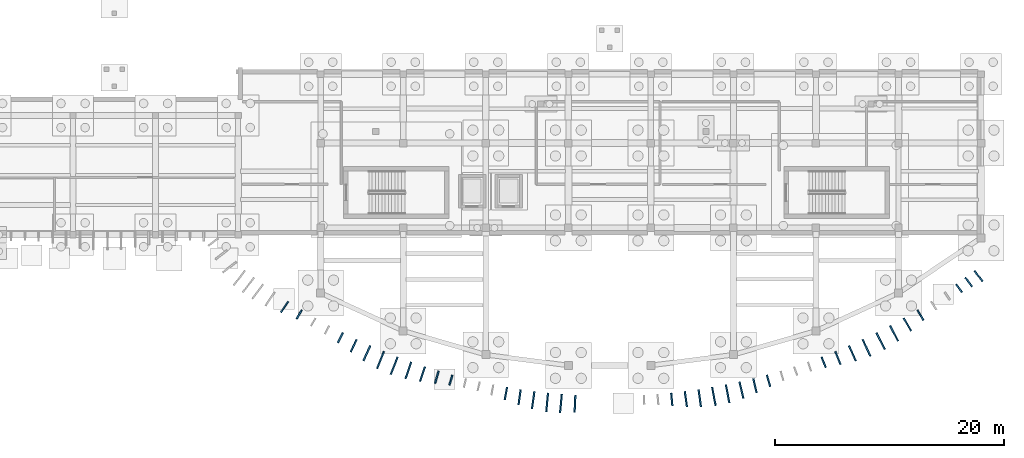
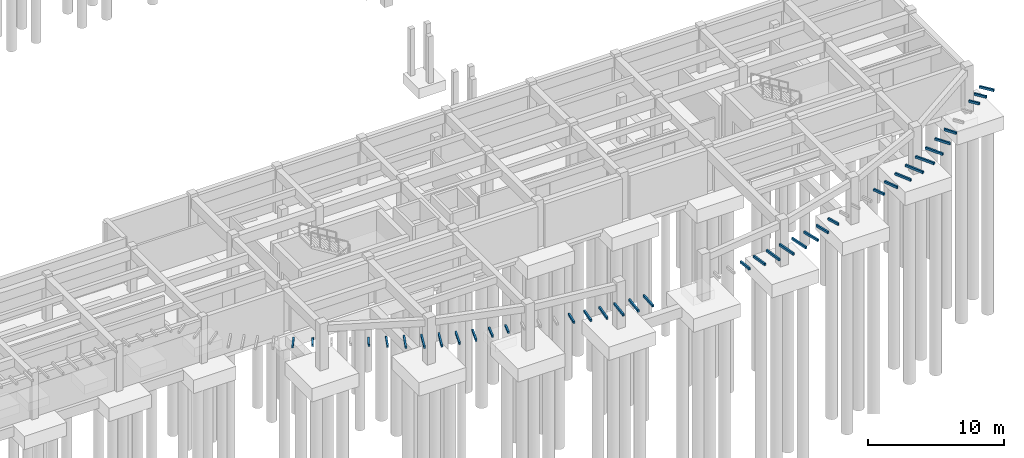
# One storey, part 22 of 31: 36 discrete accessories.
"""IFC4 building model written with IfcOpenShell, lengths in metres."""

from ifc_helpers import new_model, si_unit, direction, frame, origin, origin_2d, place, context, subcontext, project, spatial, rectangle, extrude, material, type_object, element, save


model = new_model("IFC4")

# Units and contexts
model_context = context("Model", 3, precision=1e-05, world=origin(), true_north=direction((0.0, 1.0)))
body_context = subcontext(model_context, "Body", "Model", "MODEL_VIEW")
ifc_project = project(units=[si_unit("LENGTHUNIT", "METRE"), si_unit("AREAUNIT", "SQUARE_METRE"), si_unit("VOLUMEUNIT", "CUBIC_METRE"), si_unit("PLANEANGLEUNIT", "RADIAN"), si_unit("MASSUNIT", "GRAM", prefix="KILO")], contexts=[model_context])

# Site, building, storey
site_placement = place(None, origin())
site = spatial("IfcSite", under=ifc_project, at=site_placement, CompositionType="ELEMENT")
building_placement = place(site_placement, origin())
building = spatial("IfcBuilding", under=site, at=building_placement, Name="Brisavento Harbour Community Centre", CompositionType="ELEMENT")
storey_placement = place(building_placement, frame((0.0, 0.0, -4.199951171875)))
storey = spatial("IfcBuildingStorey", under=building, at=storey_placement, Name="B1", CompositionType="ELEMENT", Elevation=-4.199951171875)

# Discrete accessories
ifc_material = material(Name="Stainless steel 1.4401", Category="steel")
discrete_accessory_type = type_object("IfcDiscreteAccessoryType", Name="BRK-FIN-SS", PredefinedType="BRACKET", material=ifc_material)
discrete_accessory_1_placement = place(storey_placement, frame((112.048583984375, 8.100830078125, 3.97998046875), z_axis=(0.0, 0.0, 1.0), x_axis=(-0.554060082852, -0.832476681109, 0.0)))
element("IfcDiscreteAccessory", 1, at=discrete_accessory_1_placement, inside=storey, type_object=discrete_accessory_type, Name="Stainless-steel storm-fin bracket 097.1", PredefinedType="BRACKET", context=body_context, shape_type="SweptSolid", body=[
    extrude(rectangle(XDim=1.146728515625, YDim=0.139892578125, at=origin_2d()), origin(), (0.0, 0.0, 1.0), 0.199951171875),
])
discrete_accessory_2_placement = place(storey_placement, frame((113.3203125, 7.4404296875, 3.97998046875), z_axis=(0.0, 0.0, 1.0), x_axis=(-0.507869167385, -0.861434216188, 0.0)))
element("IfcDiscreteAccessory", 2, at=discrete_accessory_2_placement, inside=storey, type_object=discrete_accessory_type, Name="Stainless-steel storm-fin bracket 098.1", PredefinedType="BRACKET", context=body_context, shape_type="SweptSolid", body=[
    extrude(rectangle(XDim=0.913330078125, YDim=0.139892578125, at=origin_2d()), origin(), (0.0, 0.0, 1.0), 0.199951171875),
])
discrete_accessory_3_placement = place(storey_placement, frame((116.914794921875, 5.41357421875, 3.97998046875), z_axis=(0.0, 0.0, 1.0), x_axis=(-0.461702168823, -0.887035009063, 0.0)))
element("IfcDiscreteAccessory", 3, at=discrete_accessory_3_placement, inside=storey, type_object=discrete_accessory_type, Name="Stainless-steel storm-fin bracket 101.1", PredefinedType="BRACKET", context=body_context, shape_type="SweptSolid", body=[
    extrude(rectangle(XDim=0.968994140625, YDim=0.139892578125, at=origin_2d()), origin(), (0.0, 0.0, 1.0), 0.199951171875),
])
discrete_accessory_4_placement = place(storey_placement, frame((118.07470703125, 4.716796875, 3.97998046875), z_axis=(0.0, 0.0, 1.0), x_axis=(-0.415518926407, -0.909584532519, 0.0)))
element("IfcDiscreteAccessory", 4, at=discrete_accessory_4_placement, inside=storey, type_object=discrete_accessory_type, Name="Stainless-steel storm-fin bracket 102.1", PredefinedType="BRACKET", context=body_context, shape_type="SweptSolid", body=[
    extrude(rectangle(XDim=1.20263671875, YDim=0.139892578125, at=origin_2d()), origin(), (0.0, 0.0, 1.0), 0.199951171875),
])
discrete_accessory_5_placement = place(storey_placement, frame((119.2265625, 4.063232421875, 3.97998046875), z_axis=(0.0, 0.0, 1.0), x_axis=(-0.415518926407, -0.909584532519, 0.0)))
element("IfcDiscreteAccessory", 5, at=discrete_accessory_5_placement, inside=storey, type_object=discrete_accessory_type, Name="Stainless-steel storm-fin bracket 103.1", PredefinedType="BRACKET", context=body_context, shape_type="SweptSolid", body=[
    extrude(rectangle(XDim=1.434326171875, YDim=0.139892578125, at=origin_2d()), origin(), (0.0, 0.0, 1.0), 0.199951171875),
])
discrete_accessory_6_placement = place(storey_placement, frame((120.4169921875, 3.4697265625, 3.97998046875), z_axis=(0.0, 0.0, 1.0), x_axis=(-0.369341311525, -0.92929381554, 0.0)))
element("IfcDiscreteAccessory", 6, at=discrete_accessory_6_placement, inside=storey, type_object=discrete_accessory_type, Name="Stainless-steel storm-fin bracket 104.1", PredefinedType="BRACKET", context=body_context, shape_type="SweptSolid", body=[
    extrude(rectangle(XDim=1.59130859375, YDim=0.139892578125, at=origin_2d()), origin(), (0.0, 0.0, 1.0), 0.199951171875),
])
discrete_accessory_7_placement = place(storey_placement, frame((121.6103515625, 2.976318359375, 3.97998046875), z_axis=(0.0, 0.0, 1.0), x_axis=(-0.369341311525, -0.92929381554, 0.0)))
element("IfcDiscreteAccessory", 7, at=discrete_accessory_7_placement, inside=storey, type_object=discrete_accessory_type, Name="Stainless-steel storm-fin bracket 105.1", PredefinedType="BRACKET", context=body_context, shape_type="SweptSolid", body=[
    extrude(rectangle(XDim=1.626220703125, YDim=0.139892578125, at=origin_2d()), origin(), (0.0, 0.0, 1.0), 0.199951171875),
])
discrete_accessory_8_placement = place(storey_placement, frame((122.849365234375, 2.568603515625, 3.97998046875), z_axis=(0.0, 0.0, 1.0), x_axis=(-0.323174264667, -0.94633947115, 0.0)))
element("IfcDiscreteAccessory", 8, at=discrete_accessory_8_placement, inside=storey, type_object=discrete_accessory_type, Name="Stainless-steel storm-fin bracket 106.1", PredefinedType="BRACKET", context=body_context, shape_type="SweptSolid", body=[
    extrude(rectangle(XDim=1.53271484375, YDim=0.139892578125, at=origin_2d()), origin(), (0.0, 0.0, 1.0), 0.199951171875),
])
discrete_accessory_9_placement = place(storey_placement, frame((124.080078125, 2.249267578125, 3.97998046875), z_axis=(0.0, 0.0, 1.0), x_axis=(-0.323174264667, -0.94633947115, 0.0)))
element("IfcDiscreteAccessory", 9, at=discrete_accessory_9_placement, inside=storey, type_object=discrete_accessory_type, Name="Stainless-steel storm-fin bracket 107.1", PredefinedType="BRACKET", context=body_context, shape_type="SweptSolid", body=[
    extrude(rectangle(XDim=1.341552734375, YDim=0.139892578125, at=origin_2d()), origin(), (0.0, 0.0, 1.0), 0.199951171875),
])
discrete_accessory_10_placement = place(storey_placement, frame((125.3291015625, 1.9765625, 3.97998046875), z_axis=(0.0, 0.0, 1.0), x_axis=(-0.276996031628, -0.96087106235, 0.0)))
element("IfcDiscreteAccessory", 10, at=discrete_accessory_10_placement, inside=storey, type_object=discrete_accessory_type, Name="Stainless-steel storm-fin bracket 108.1", PredefinedType="BRACKET", context=body_context, shape_type="SweptSolid", body=[
    extrude(rectangle(XDim=1.111328125, YDim=0.139892578125, at=origin_2d()), origin(), (0.0, 0.0, 1.0), 0.199951171875),
])
discrete_accessory_11_placement = place(storey_placement, frame((126.55712890625, 1.727294921875, 3.97998046875), z_axis=(0.0, 0.0, 1.0), x_axis=(-0.276996031628, -0.96087106235, 0.0)))
element("IfcDiscreteAccessory", 11, at=discrete_accessory_11_placement, inside=storey, type_object=discrete_accessory_type, Name="Stainless-steel storm-fin bracket 109.1", PredefinedType="BRACKET", context=body_context, shape_type="SweptSolid", body=[
    extrude(rectangle(XDim=0.909912109375, YDim=0.139892578125, at=origin_2d()), origin(), (0.0, 0.0, 1.0), 0.199951171875),
])
discrete_accessory_12_placement = place(storey_placement, frame((131.35302734375, 0.545166015625, 3.97998046875), z_axis=(0.0, 0.0, 1.0), x_axis=(-0.184671830369, -0.982800241691, 0.0)))
element("IfcDiscreteAccessory", 12, at=discrete_accessory_12_placement, inside=storey, type_object=discrete_accessory_type, Name="Stainless-steel storm-fin bracket 113.1", PredefinedType="BRACKET", context=body_context, shape_type="SweptSolid", body=[
    extrude(rectangle(XDim=1.109619140625, YDim=0.139892578125, at=origin_2d()), origin(), (0.0, 0.0, 1.0), 0.199951171875),
])
discrete_accessory_13_placement = place(storey_placement, frame((132.54931640625, 0.236328125, 3.97998046875), z_axis=(0.0, 0.0, 1.0), x_axis=(-0.138499014678, -0.990362571452, 0.0)))
element("IfcDiscreteAccessory", 13, at=discrete_accessory_13_placement, inside=storey, type_object=discrete_accessory_type, Name="Stainless-steel storm-fin bracket 114.1", PredefinedType="BRACKET", context=body_context, shape_type="SweptSolid", body=[
    extrude(rectangle(XDim=1.332275390625, YDim=0.139892578125, at=origin_2d()), origin(), (0.0, 0.0, 1.0), 0.199951171875),
])
discrete_accessory_14_placement = place(storey_placement, frame((133.736328125, -0.024169921875, 3.97998046875), z_axis=(0.0, 0.0, 1.0), x_axis=(-0.138499014678, -0.990362571452, 0.0)))
element("IfcDiscreteAccessory", 14, at=discrete_accessory_14_placement, inside=storey, type_object=discrete_accessory_type, Name="Stainless-steel storm-fin bracket 115.1", PredefinedType="BRACKET", context=body_context, shape_type="SweptSolid", body=[
    extrude(rectangle(XDim=1.51953125, YDim=0.139892578125, at=origin_2d()), origin(), (0.0, 0.0, 1.0), 0.199951171875),
])
discrete_accessory_15_placement = place(storey_placement, frame((134.952880859375, -0.21630859375, 3.97998046875), z_axis=(0.0, 0.0, 1.0), x_axis=(-0.092335830041, -0.99572792192, 0.0)))
element("IfcDiscreteAccessory", 15, at=discrete_accessory_15_placement, inside=storey, type_object=discrete_accessory_type, Name="Stainless-steel storm-fin bracket 116.1", PredefinedType="BRACKET", context=body_context, shape_type="SweptSolid", body=[
    extrude(rectangle(XDim=1.62060546875, YDim=0.139892578125, at=origin_2d()), origin(), (0.0, 0.0, 1.0), 0.199951171875),
])
discrete_accessory_16_placement = place(storey_placement, frame((136.1533203125, -0.322021484375, 3.97998046875), z_axis=(0.0, 0.0, 1.0), x_axis=(-0.092335830041, -0.99572792192, 0.0)))
element("IfcDiscreteAccessory", 16, at=discrete_accessory_16_placement, inside=storey, type_object=discrete_accessory_type, Name="Stainless-steel storm-fin bracket 117.1", PredefinedType="BRACKET", context=body_context, shape_type="SweptSolid", body=[
    extrude(rectangle(XDim=1.609130859375, YDim=0.139892578125, at=origin_2d()), origin(), (0.0, 0.0, 1.0), 0.199951171875),
])
discrete_accessory_17_placement = place(storey_placement, frame((137.37939453125, -0.3466796875, 3.97998046875), z_axis=(0.0, 0.0, 1.0), x_axis=(-0.0461649984, -0.9989338281, 0.0)))
element("IfcDiscreteAccessory", 17, at=discrete_accessory_17_placement, inside=storey, type_object=discrete_accessory_type, Name="Stainless-steel storm-fin bracket 118.1", PredefinedType="BRACKET", context=body_context, shape_type="SweptSolid", body=[
    extrude(rectangle(XDim=1.488525390625, YDim=0.139892578125, at=origin_2d()), origin(), (0.0, 0.0, 1.0), 0.199951171875),
])
discrete_accessory_18_placement = place(storey_placement, frame((145.823974609375, 0.032958984375, 3.97998046875), z_axis=(0.0, 0.0, 1.0), x_axis=(0.092335830041, -0.99572792192, 0.0)))
element("IfcDiscreteAccessory", 18, at=discrete_accessory_18_placement, inside=storey, type_object=discrete_accessory_type, Name="Stainless-steel storm-fin bracket 121.1", PredefinedType="BRACKET", context=body_context, shape_type="SweptSolid", body=[
    extrude(rectangle(XDim=1.119873046875, YDim=0.139892578125, at=origin_2d()), origin(), (0.0, 0.0, 1.0), 0.199951171875),
])
discrete_accessory_19_placement = place(storey_placement, frame((147.05126953125, 0.064208984375, 3.97998046875), z_axis=(0.0, 0.0, 1.0), x_axis=(0.138499014678, -0.990362571452, 0.0)))
element("IfcDiscreteAccessory", 19, at=discrete_accessory_19_placement, inside=storey, type_object=discrete_accessory_type, Name="Stainless-steel storm-fin bracket 122.1", PredefinedType="BRACKET", context=body_context, shape_type="SweptSolid", body=[
    extrude(rectangle(XDim=1.3408203125, YDim=0.139892578125, at=origin_2d()), origin(), (0.0, 0.0, 1.0), 0.199951171875),
])
discrete_accessory_20_placement = place(storey_placement, frame((148.26416015625, 0.140625, 3.97998046875), z_axis=(0.0, 0.0, 1.0), x_axis=(0.138499014678, -0.990362571452, 0.0)))
element("IfcDiscreteAccessory", 20, at=discrete_accessory_20_placement, inside=storey, type_object=discrete_accessory_type, Name="Stainless-steel storm-fin bracket 123.1", PredefinedType="BRACKET", context=body_context, shape_type="SweptSolid", body=[
    extrude(rectangle(XDim=1.525390625, YDim=0.139892578125, at=origin_2d()), origin(), (0.0, 0.0, 1.0), 0.199951171875),
])
discrete_accessory_21_placement = place(storey_placement, frame((149.494384765625, 0.293212890625, 3.97998046875), z_axis=(0.0, 0.0, 1.0), x_axis=(0.184671830369, -0.982800241691, 0.0)))
element("IfcDiscreteAccessory", 21, at=discrete_accessory_21_placement, inside=storey, type_object=discrete_accessory_type, Name="Stainless-steel storm-fin bracket 124.1", PredefinedType="BRACKET", context=body_context, shape_type="SweptSolid", body=[
    extrude(rectangle(XDim=1.622802734375, YDim=0.139892578125, at=origin_2d()), origin(), (0.0, 0.0, 1.0), 0.199951171875),
])
discrete_accessory_22_placement = place(storey_placement, frame((150.69287109375, 0.527587890625, 3.97998046875), z_axis=(0.0, 0.0, 1.0), x_axis=(0.184671830369, -0.982800241691, 0.0)))
element("IfcDiscreteAccessory", 22, at=discrete_accessory_22_placement, inside=storey, type_object=discrete_accessory_type, Name="Stainless-steel storm-fin bracket 125.1", PredefinedType="BRACKET", context=body_context, shape_type="SweptSolid", body=[
    extrude(rectangle(XDim=1.604736328125, YDim=0.139892578125, at=origin_2d()), origin(), (0.0, 0.0, 1.0), 0.199951171875),
])
discrete_accessory_23_placement = place(storey_placement, frame((151.90087890625, 0.8505859375, 3.97998046875), z_axis=(0.0, 0.0, 1.0), x_axis=(0.230830981037, -0.972993863389, 0.0)))
element("IfcDiscreteAccessory", 23, at=discrete_accessory_23_placement, inside=storey, type_object=discrete_accessory_type, Name="Stainless-steel storm-fin bracket 126.1", PredefinedType="BRACKET", context=body_context, shape_type="SweptSolid", body=[
    extrude(rectangle(XDim=1.47509765625, YDim=0.139892578125, at=origin_2d()), origin(), (0.0, 0.0, 1.0), 0.199951171875),
])
discrete_accessory_24_placement = place(storey_placement, frame((153.0771484375, 1.235595703125, 3.97998046875), z_axis=(0.0, 0.0, 1.0), x_axis=(0.230830981037, -0.972993863389, 0.0)))
element("IfcDiscreteAccessory", 24, at=discrete_accessory_24_placement, inside=storey, type_object=discrete_accessory_type, Name="Stainless-steel storm-fin bracket 127.1", PredefinedType="BRACKET", context=body_context, shape_type="SweptSolid", body=[
    extrude(rectangle(XDim=1.2685546875, YDim=0.139892578125, at=origin_2d()), origin(), (0.0, 0.0, 1.0), 0.199951171875),
])
discrete_accessory_25_placement = place(storey_placement, frame((154.26123046875, 1.66357421875, 3.97998046875), z_axis=(0.0, 0.0, 1.0), x_axis=(0.276996031628, -0.96087106235, 0.0)))
element("IfcDiscreteAccessory", 25, at=discrete_accessory_25_placement, inside=storey, type_object=discrete_accessory_type, Name="Stainless-steel storm-fin bracket 128.1", PredefinedType="BRACKET", context=body_context, shape_type="SweptSolid", body=[
    extrude(rectangle(XDim=1.04296875, YDim=0.139892578125, at=origin_2d()), origin(), (0.0, 0.0, 1.0), 0.199951171875),
])
discrete_accessory_26_placement = place(storey_placement, frame((159.071044921875, 3.2744140625, 3.97998046875), z_axis=(0.0, 0.0, 1.0), x_axis=(0.369341311525, -0.92929381554, 0.0)))
element("IfcDiscreteAccessory", 26, at=discrete_accessory_26_placement, inside=storey, type_object=discrete_accessory_type, Name="Stainless-steel storm-fin bracket 132.1", PredefinedType="BRACKET", context=body_context, shape_type="SweptSolid", body=[
    extrude(rectangle(XDim=0.98486328125, YDim=0.139892578125, at=origin_2d()), origin(), (0.0, 0.0, 1.0), 0.199951171875),
])
discrete_accessory_27_placement = place(storey_placement, frame((160.313232421875, 3.645263671875, 3.97998046875), z_axis=(0.0, 0.0, 1.0), x_axis=(0.369341311525, -0.92929381554, 0.0)))
element("IfcDiscreteAccessory", 27, at=discrete_accessory_27_placement, inside=storey, type_object=discrete_accessory_type, Name="Stainless-steel storm-fin bracket 133.1", PredefinedType="BRACKET", context=body_context, shape_type="SweptSolid", body=[
    extrude(rectangle(XDim=1.212890625, YDim=0.139892578125, at=origin_2d()), origin(), (0.0, 0.0, 1.0), 0.199951171875),
])
discrete_accessory_28_placement = place(storey_placement, frame((161.57470703125, 4.060302734375, 3.97998046875), z_axis=(0.0, 0.0, 1.0), x_axis=(0.415518926407, -0.909584532519, 0.0)))
element("IfcDiscreteAccessory", 28, at=discrete_accessory_28_placement, inside=storey, type_object=discrete_accessory_type, Name="Stainless-steel storm-fin bracket 134.1", PredefinedType="BRACKET", context=body_context, shape_type="SweptSolid", body=[
    extrude(rectangle(XDim=1.44091796875, YDim=0.139892578125, at=origin_2d()), origin(), (0.0, 0.0, 1.0), 0.199951171875),
])
discrete_accessory_29_placement = place(storey_placement, frame((162.806884765625, 4.538330078125, 3.97998046875), z_axis=(0.0, 0.0, 1.0), x_axis=(0.415518926407, -0.909584532519, 0.0)))
element("IfcDiscreteAccessory", 29, at=discrete_accessory_29_placement, inside=storey, type_object=discrete_accessory_type, Name="Stainless-steel storm-fin bracket 135.1", PredefinedType="BRACKET", context=body_context, shape_type="SweptSolid", body=[
    extrude(rectangle(XDim=1.59521484375, YDim=0.139892578125, at=origin_2d()), origin(), (0.0, 0.0, 1.0), 0.199951171875),
])
discrete_accessory_30_placement = place(storey_placement, frame((164.036376953125, 5.123291015625, 3.97998046875), z_axis=(0.0, 0.0, 1.0), x_axis=(0.461702168823, -0.887035009063, 0.0)))
element("IfcDiscreteAccessory", 30, at=discrete_accessory_30_placement, inside=storey, type_object=discrete_accessory_type, Name="Stainless-steel storm-fin bracket 136.1", PredefinedType="BRACKET", context=body_context, shape_type="SweptSolid", body=[
    extrude(rectangle(XDim=1.623291015625, YDim=0.139892578125, at=origin_2d()), origin(), (0.0, 0.0, 1.0), 0.199951171875),
])
discrete_accessory_31_placement = place(storey_placement, frame((165.210205078125, 5.7978515625, 3.97998046875), z_axis=(0.0, 0.0, 1.0), x_axis=(0.461702168823, -0.887035009063, 0.0)))
element("IfcDiscreteAccessory", 31, at=discrete_accessory_31_placement, inside=storey, type_object=discrete_accessory_type, Name="Stainless-steel storm-fin bracket 137.1", PredefinedType="BRACKET", context=body_context, shape_type="SweptSolid", body=[
    extrude(rectangle(XDim=1.510986328125, YDim=0.139892578125, at=origin_2d()), origin(), (0.0, 0.0, 1.0), 0.199951171875),
])
discrete_accessory_32_placement = place(storey_placement, frame((166.375732421875, 6.570068359375, 3.97998046875), z_axis=(0.0, 0.0, 1.0), x_axis=(0.507869167385, -0.861434216188, 0.0)))
element("IfcDiscreteAccessory", 32, at=discrete_accessory_32_placement, inside=storey, type_object=discrete_accessory_type, Name="Stainless-steel storm-fin bracket 138.1", PredefinedType="BRACKET", context=body_context, shape_type="SweptSolid", body=[
    extrude(rectangle(XDim=1.29150390625, YDim=0.139892578125, at=origin_2d()), origin(), (0.0, 0.0, 1.0), 0.199951171875),
])
discrete_accessory_33_placement = place(storey_placement, frame((167.51123046875, 7.386474609375, 3.97998046875), z_axis=(0.0, 0.0, 1.0), x_axis=(0.507869167385, -0.861434216188, 0.0)))
element("IfcDiscreteAccessory", 33, at=discrete_accessory_33_placement, inside=storey, type_object=discrete_accessory_type, Name="Stainless-steel storm-fin bracket 139.1", PredefinedType="BRACKET", context=body_context, shape_type="SweptSolid", body=[
    extrude(rectangle(XDim=1.03857421875, YDim=0.139892578125, at=origin_2d()), origin(), (0.0, 0.0, 1.0), 0.199951171875),
])
discrete_accessory_34_placement = place(storey_placement, frame((170.877197265625, 9.723876953125, 3.97998046875), z_axis=(0.0, 0.0, 1.0), x_axis=(0.600252726595, -0.799810392665, 0.0)))
element("IfcDiscreteAccessory", 34, at=discrete_accessory_34_placement, inside=storey, type_object=discrete_accessory_type, Name="Stainless-steel storm-fin bracket 142.1", PredefinedType="BRACKET", context=body_context, shape_type="SweptSolid", body=[
    extrude(rectangle(XDim=0.857177734375, YDim=0.139892578125, at=origin_2d()), origin(), (0.0, 0.0, 1.0), 0.199951171875),
])
discrete_accessory_35_placement = place(storey_placement, frame((171.718017578125, 10.27001953125, 3.97998046875), z_axis=(0.0, 0.0, 1.0), x_axis=(0.600252726595, -0.799810392665, 0.0)))
element("IfcDiscreteAccessory", 35, at=discrete_accessory_35_placement, inside=storey, type_object=discrete_accessory_type, Name="Stainless-steel storm-fin bracket 143.1", PredefinedType="BRACKET", context=body_context, shape_type="SweptSolid", body=[
    extrude(rectangle(XDim=0.992919921875, YDim=0.139892578125, at=origin_2d()), origin(), (0.0, 0.0, 1.0), 0.199951171875),
])
discrete_accessory_36_placement = place(storey_placement, frame((172.570556640625, 10.800048828125, 3.97998046875), z_axis=(0.0, 0.0, 1.0), x_axis=(0.600252726595, -0.799810392665, 0.0)))
element("IfcDiscreteAccessory", 36, at=discrete_accessory_36_placement, inside=storey, type_object=discrete_accessory_type, Name="Stainless-steel storm-fin bracket 144.1", PredefinedType="BRACKET", context=body_context, shape_type="SweptSolid", body=[
    extrude(rectangle(XDim=1.16845703125, YDim=0.139892578125, at=origin_2d()), origin(), (0.0, 0.0, 1.0), 0.199951171875),
])

save(model, "model.ifc")
